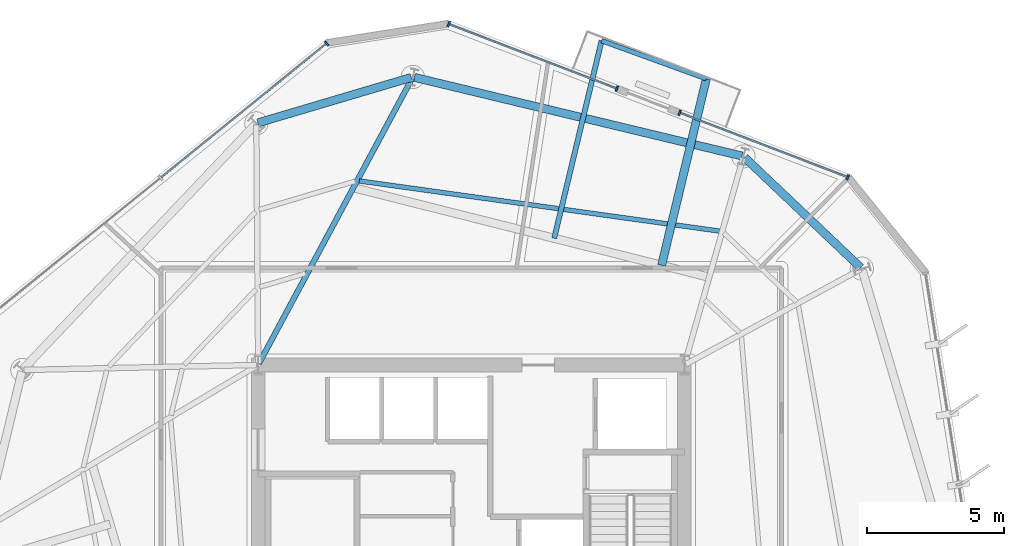
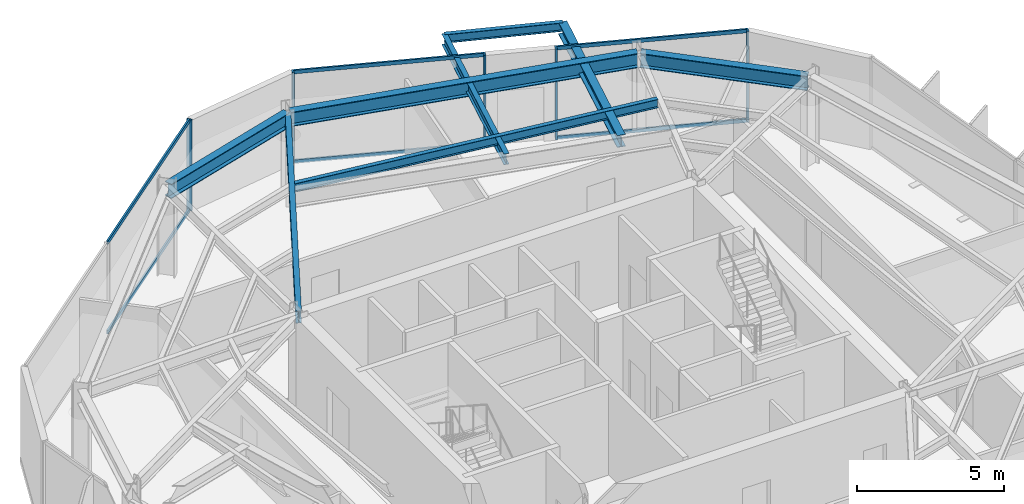
# One storey, part 5 of 12: 11 members, 8 beams, 3 elements without a shape of their own.
"""IFC4 building model written with IfcOpenShell, lengths in metres."""

from ifc_helpers import new_model, si_unit, direction, frame, origin, origin_2d, place, context, subcontext, project, spatial, rectangle, i_section, extrude, material, layer, layer_set, material_profile, profile_set, type_object, element, aggregate, save


model = new_model("IFC4")

# Units and contexts
model_context = context("Model", 3, precision=1e-05, world=origin(), true_north=direction((0.0, 1.0)))
body_context = subcontext(model_context, "Body", "Model", "MODEL_VIEW")
ifc_project = project(units=[si_unit("LENGTHUNIT", "METRE"), si_unit("AREAUNIT", "SQUARE_METRE"), si_unit("VOLUMEUNIT", "CUBIC_METRE"), si_unit("PLANEANGLEUNIT", "RADIAN"), si_unit("MASSUNIT", "GRAM", prefix="KILO")], contexts=[model_context])

# Site, building, storey
site_placement = place(None, origin())
site = spatial("IfcSite", under=ifc_project, at=site_placement, CompositionType="ELEMENT")
building_placement = place(site_placement, origin())
building = spatial("IfcBuilding", under=site, at=building_placement, Name="Kranzbogen Civic Tower", CompositionType="ELEMENT")
storey_placement = place(building_placement, frame((0.0, 0.0, 180.800048828125)))
storey = spatial("IfcBuildingStorey", under=building, at=storey_placement, Name="L43", CompositionType="ELEMENT", Elevation=180.800048828125)

# Beam
ifc_material_1 = material(Name="Steel S355", Category="steel")
ifc_material_profile_1 = material_profile(ifc_material_1, i_section(OverallWidth=0.18994140625, OverallDepth=0.449951171875, WebThickness=0.009521484375, FlangeThickness=0.0146484375, at=origin_2d()), Name="IPE 450")
ifc_profile_set_1 = profile_set([ifc_material_profile_1], Name="Steel S355")
beam_type_1 = type_object("IfcBeamType", Name="Braced Terrace Edge Beam IPE 450", PredefinedType="BEAM", material=ifc_profile_set_1)
beam_1_placement = place(storey_placement, frame((28.033935546875, 36.8369140625, 3.52490234375), z_axis=(0.233448692439, 0.97236912127, 0.0), x_axis=(-0.97236912127, 0.233448692439, 0.0)))
element("IfcBeam", 1, at=beam_1_placement, inside=storey, type_object=beam_type_1, Name="L44 back-spanned terrace beam L44-TB2-2", PredefinedType="BEAM", context=body_context, shape_type="SweptSolid", body=[
    extrude(i_section(OverallWidth=0.18994140625, OverallDepth=0.449951171875, WebThickness=0.009521484375, FlangeThickness=0.0146484375, at=origin_2d()), origin(), (0.0, 0.0, 1.0), 7.436767578125),
])

# Curtain wall, members
ifc_material_2 = material(Name="Pale Anodised Aluminium", Category="aluminium")
ifc_layer = layer(ifc_material_2, 0.219970703125, Name="Pale Anodised Aluminium")
ifc_layer_set = layer_set([ifc_layer], Name="Pale Anodised Aluminium")
curtain_wall_type = type_object("IfcCurtainWallType", Name="Zone 3 Stick Curtain Wall System CW-04", PredefinedType="USERDEFINED", material=ifc_layer_set)
curtain_wall_1_placement = place(storey_placement, origin())
curtain_wall_1 = element("IfcCurtainWall", 2, at=curtain_wall_1_placement, inside=storey, type_object=curtain_wall_type, Name="L43 curtain wall CW-L43-F1-S1", ObjectType="STICK CURTAIN WALL", PredefinedType="USERDEFINED")
ifc_material_profile_2 = material_profile(ifc_material_2, rectangle(XDim=0.070068359375, YDim=0.199951171875, at=origin_2d()), Name="ALU-M 70x200")
ifc_profile_set_2 = profile_set([ifc_material_profile_2], Name="Pale Anodised Aluminium")
member_type_1 = type_object("IfcMemberType", Name="Curtain Wall Mullion ALU-M 70x200", PredefinedType="MULLION", material=ifc_profile_set_2)
member_1_placement = place(storey_placement, frame((38.781005859375, 39.067626953125, 0.0), z_axis=(0.0, 0.0, 1.0), x_axis=(-0.933608751858, 0.35829415074, 0.0)))
member_1 = element("IfcMember", 3, at=member_1_placement, type_object=member_type_1, Name="CW-04 mullion 1", PredefinedType="MULLION", context=body_context, shape_type="SweptSolid", body=[
    extrude(rectangle(XDim=0.070068359375, YDim=0.199951171875, at=origin_2d()), origin(), (0.0, 0.0, 1.0), 3.780029296875),
])
member_2_placement = place(storey_placement, frame((32.625, 41.43017578125, 0.0), z_axis=(0.0, 0.0, 1.0), x_axis=(-0.933608751858, 0.35829415074, 0.0)))
member_2 = element("IfcMember", 4, at=member_2_placement, type_object=member_type_1, Name="CW-04 mullion 2", PredefinedType="MULLION", context=body_context, shape_type="SweptSolid", body=[
    extrude(rectangle(XDim=0.070068359375, YDim=0.199951171875, at=origin_2d()), origin(), (0.0, 0.0, 1.0), 3.780029296875),
])

curtain_wall_2_placement = place(storey_placement, origin())
curtain_wall_2 = element("IfcCurtainWall", 5, at=curtain_wall_2_placement, inside=storey, type_object=curtain_wall_type, Name="L43 curtain wall CW-L43-F1-S2", ObjectType="STICK CURTAIN WALL", PredefinedType="USERDEFINED")
member_3_placement = place(storey_placement, frame((30.3291015625, 42.311767578125, 0.0), z_axis=(0.0, 0.0, 1.0), x_axis=(-0.933577774585, 0.358374857937, 0.0)))
member_3 = element("IfcMember", 6, at=member_3_placement, type_object=member_type_1, Name="CW-04 mullion 1", PredefinedType="MULLION", context=body_context, shape_type="SweptSolid", body=[
    extrude(rectangle(XDim=0.070068359375, YDim=0.199951171875, at=origin_2d()), origin(), (0.0, 0.0, 1.0), 3.780029296875),
])
member_4_placement = place(storey_placement, frame((24.172119140625, 44.67529296875, 0.0), z_axis=(0.0, 0.0, 1.0), x_axis=(-0.933577774585, 0.358374857937, 0.0)))
member_4 = element("IfcMember", 7, at=member_4_placement, type_object=member_type_1, Name="CW-04 mullion 2", PredefinedType="MULLION", context=body_context, shape_type="SweptSolid", body=[
    extrude(rectangle(XDim=0.070068359375, YDim=0.199951171875, at=origin_2d()), origin(), (0.0, 0.0, 1.0), 3.780029296875),
])

# Curtain wall, member
curtain_wall_3_placement = place(storey_placement, origin())
curtain_wall_3 = element("IfcCurtainWall", 8, at=curtain_wall_3_placement, inside=storey, type_object=curtain_wall_type, Name="L43 curtain wall CW-L43-F2", ObjectType="STICK CURTAIN WALL", PredefinedType="USERDEFINED")
member_5_placement = place(storey_placement, frame((19.706787109375, 43.968017578125, 0.0), z_axis=(0.0, 0.0, 1.0), x_axis=(-0.777115874444, -0.629357543601, 0.0)))
member_5 = element("IfcMember", 9, at=member_5_placement, type_object=member_type_1, Name="CW-04 mullion 1", PredefinedType="MULLION", context=body_context, shape_type="SweptSolid", body=[
    extrude(rectangle(XDim=0.070068359375, YDim=0.199951171875, at=origin_2d()), origin(), (0.0, 0.0, 1.0), 3.780029296875),
])

# Member
ifc_material_profile_3 = material_profile(ifc_material_2, rectangle(XDim=0.070068359375, YDim=0.14990234375, at=origin_2d()), Name="ALU-T 70x150")
ifc_profile_set_3 = profile_set([ifc_material_profile_3], Name="Pale Anodised Aluminium")
member_type_2 = type_object("IfcMemberType", Name="Curtain Wall Transom ALU-T 70x150", PredefinedType="USERDEFINED", material=ifc_profile_set_3)
member_6_placement = place(storey_placement, frame((38.7529296875, 39.07861328125, 0.030029296875), z_axis=(-0.933615963242, 0.358275359438, 0.0), x_axis=(-0.358275359438, -0.933615963242, 0.0)))
member_6 = element("IfcMember", 10, at=member_6_placement, type_object=member_type_2, Name="CW-04 transom 1.1", ObjectType="TRANSOM", PredefinedType="USERDEFINED", context=body_context, shape_type="SweptSolid", body=[
    extrude(rectangle(XDim=0.070068359375, YDim=0.14990234375, at=origin_2d()), origin(), (0.0, 0.0, 1.0), 6.53369140625),
])

member_7_placement = place(storey_placement, frame((38.7529296875, 39.07861328125, 3.75), z_axis=(-0.933615963242, 0.358275359438, 0.0), x_axis=(-0.358275359438, -0.933615963242, 0.0)))
member_7 = element("IfcMember", 11, at=member_7_placement, type_object=member_type_2, Name="CW-04 transom 1.2", ObjectType="TRANSOM", PredefinedType="USERDEFINED", context=body_context, shape_type="SweptSolid", body=[
    extrude(rectangle(XDim=0.070068359375, YDim=0.14990234375, at=origin_2d()), origin(), (0.0, 0.0, 1.0), 6.53369140625),
])

aggregate(curtain_wall_1, [member_1, member_2, member_6, member_7])

member_8_placement = place(storey_placement, frame((30.301025390625, 42.322509765625, 0.030029296875), z_axis=(-0.933577454717, 0.358375691201, 0.0), x_axis=(-0.358375691201, -0.933577454717, 0.0)))
member_8 = element("IfcMember", 12, at=member_8_placement, type_object=member_type_2, Name="CW-04 transom 1.1", ObjectType="TRANSOM", PredefinedType="USERDEFINED", context=body_context, shape_type="SweptSolid", body=[
    extrude(rectangle(XDim=0.070068359375, YDim=0.14990234375, at=origin_2d()), origin(), (0.0, 0.0, 1.0), 6.53515625),
])

member_9_placement = place(storey_placement, frame((30.301025390625, 42.322509765625, 3.75), z_axis=(-0.933577454717, 0.358375691201, 0.0), x_axis=(-0.358375691201, -0.933577454717, 0.0)))
member_9 = element("IfcMember", 13, at=member_9_placement, type_object=member_type_2, Name="CW-04 transom 1.2", ObjectType="TRANSOM", PredefinedType="USERDEFINED", context=body_context, shape_type="SweptSolid", body=[
    extrude(rectangle(XDim=0.070068359375, YDim=0.14990234375, at=origin_2d()), origin(), (0.0, 0.0, 1.0), 6.53515625),
])

aggregate(curtain_wall_2, [member_3, member_4, member_8, member_9])

member_10_placement = place(storey_placement, frame((19.683349609375, 43.94921875, 0.030029296875), z_axis=(-0.777118167455, -0.629354712234, 0.0), x_axis=(0.629354712234, -0.777118167455, 0.0)))
member_10 = element("IfcMember", 14, at=member_10_placement, type_object=member_type_2, Name="CW-04 transom 1.1", ObjectType="TRANSOM", PredefinedType="USERDEFINED", context=body_context, shape_type="SweptSolid", body=[
    extrude(rectangle(XDim=0.070068359375, YDim=0.14990234375, at=origin_2d()), origin(), (0.0, 0.0, 1.0), 7.763916015625),
])

member_11_placement = place(storey_placement, frame((19.683349609375, 43.94921875, 3.75), z_axis=(-0.777118167455, -0.629354712234, 0.0), x_axis=(0.629354712234, -0.777118167455, 0.0)))
member_11 = element("IfcMember", 15, at=member_11_placement, type_object=member_type_2, Name="CW-04 transom 1.2", ObjectType="TRANSOM", PredefinedType="USERDEFINED", context=body_context, shape_type="SweptSolid", body=[
    extrude(rectangle(XDim=0.070068359375, YDim=0.14990234375, at=origin_2d()), origin(), (0.0, 0.0, 1.0), 7.763916015625),
])

aggregate(curtain_wall_3, [member_5, member_10, member_11])

# Beams
ifc_material_profile_4 = material_profile(ifc_material_1, i_section(OverallWidth=0.300048828125, OverallDepth=0.5, WebThickness=0.014404296875, FlangeThickness=0.028076171875, at=origin_2d()), Name="HEB 500")
ifc_profile_set_4 = profile_set([ifc_material_profile_4], Name="Steel S355")
beam_type_2 = type_object("IfcBeamType", Name="Perimeter Tube Spandrel Beam HEB 500", PredefinedType="SPANDREL", material=ifc_profile_set_4)
beam_2_placement = place(storey_placement, frame((31.966064453125, 35.847900390625, 3.5), z_axis=(0.2333584815, 0.972390774901, 0.0), x_axis=(-0.972390774901, 0.2333584815, 0.0)))
element("IfcBeam", 16, at=beam_2_placement, inside=storey, type_object=beam_type_2, Name="L44 back-spanned terrace beam L44-TB2-1", PredefinedType="SPANDREL", context=body_context, shape_type="SweptSolid", body=[
    extrude(i_section(OverallWidth=0.300048828125, OverallDepth=0.5, WebThickness=0.014404296875, FlangeThickness=0.028076171875, at=origin_2d()), origin(), (0.0, 0.0, 1.0), 7.01904296875),
])
ifc_material_profile_5 = material_profile(ifc_material_1, i_section(OverallWidth=0.300048828125, OverallDepth=0.60009765625, WebThickness=0.015380859375, FlangeThickness=0.030029296875, at=origin_2d()), Name="HEB 600")
ifc_profile_set_5 = profile_set([ifc_material_profile_5], Name="Steel S355")
beam_type_3 = type_object("IfcBeamType", Name="Perimeter Tube Spandrel Beam HEB 600", PredefinedType="SPANDREL", material=ifc_profile_set_5)
beam_3_placement = place(storey_placement, frame((39.2490234375, 35.764892578125, 3.47998046875), z_axis=(-0.725245206788, 0.688490660816, 0.0), x_axis=(-0.688490660816, -0.725245206788, 0.0)))
element("IfcBeam", 17, at=beam_3_placement, inside=storey, type_object=beam_type_3, Name="L43 perimeter spandrel beam 07", PredefinedType="SPANDREL", context=body_context, shape_type="SweptSolid", body=[
    extrude(i_section(OverallWidth=0.300048828125, OverallDepth=0.60009765625, WebThickness=0.015380859375, FlangeThickness=0.030029296875, at=origin_2d()), origin(), (0.0, 0.0, 1.0), 5.85205078125),
])
beam_4_placement = place(storey_placement, frame((34.903076171875, 39.84912109375, 3.47998046875), z_axis=(-0.972377592092, 0.233413406637, 0.0), x_axis=(-0.233413406637, -0.972377592092, 0.0)))
element("IfcBeam", 18, at=beam_4_placement, inside=storey, type_object=beam_type_3, Name="L43 perimeter spandrel beam 08", PredefinedType="SPANDREL", context=body_context, shape_type="SweptSolid", body=[
    extrude(i_section(OverallWidth=0.300048828125, OverallDepth=0.60009765625, WebThickness=0.015380859375, FlangeThickness=0.030029296875, at=origin_2d()), origin(), (0.0, 0.0, 1.0), 12.32568359375),
])
beam_5_placement = place(storey_placement, frame((22.802001953125, 42.722900390625, 3.47998046875), z_axis=(-0.9588296723, -0.283981794341, 0.0), x_axis=(0.283981794341, -0.9588296723, 0.0)))
element("IfcBeam", 19, at=beam_5_placement, inside=storey, type_object=beam_type_3, Name="L43 perimeter spandrel beam 09", PredefinedType="SPANDREL", context=body_context, shape_type="SweptSolid", body=[
    extrude(i_section(OverallWidth=0.300048828125, OverallDepth=0.60009765625, WebThickness=0.015380859375, FlangeThickness=0.030029296875, at=origin_2d()), origin(), (0.0, 0.0, 1.0), 5.85205078125),
])
ifc_material_profile_6 = material_profile(ifc_material_1, i_section(OverallWidth=0.199951171875, OverallDepth=0.5, WebThickness=0.01025390625, FlangeThickness=0.01611328125, at=origin_2d()), Name="IPE 500")
ifc_profile_set_6 = profile_set([ifc_material_profile_6], Name="Steel S355")
beam_type_4 = type_object("IfcBeamType", Name="Radial Tower Floor Girder IPE 500", PredefinedType="BEAM", material=ifc_profile_set_6)
beam_6_placement = place(storey_placement, frame((22.83203125, 42.68701171875, 3.530029296875), z_axis=(-0.473160413549, -0.880976289721, 0.0), x_axis=(0.880976289721, -0.473160413549, 0.0)))
element("IfcBeam", 20, at=beam_6_placement, inside=storey, type_object=beam_type_4, Name="L43 radial floor girder 09", PredefinedType="BEAM", context=body_context, shape_type="SweptSolid", body=[
    extrude(i_section(OverallWidth=0.199951171875, OverallDepth=0.5, WebThickness=0.01025390625, FlangeThickness=0.01611328125, at=origin_2d()), origin(), (0.0, 0.0, 1.0), 11.84375),
])
ifc_material_profile_7 = material_profile(ifc_material_1, i_section(OverallWidth=0.169921875, OverallDepth=0.360107421875, WebThickness=0.008056640625, FlangeThickness=0.0126953125, at=origin_2d()), Name="IPE 360")
ifc_profile_set_7 = profile_set([ifc_material_profile_7], Name="Steel S355")
beam_type_5 = type_object("IfcBeamType", Name="Secondary Composite Floor Joist IPE 360", PredefinedType="JOIST", material=ifc_profile_set_7)
beam_7_placement = place(storey_placement, frame((34.10400390625, 37.096923828125, 3.599853515625), z_axis=(-0.990445837232, 0.137902296968, 0.0), x_axis=(-0.137902296968, -0.990445837232, 0.0)))
element("IfcBeam", 21, at=beam_7_placement, inside=storey, type_object=beam_type_5, Name="L43 secondary floor joist 1.08", PredefinedType="JOIST", context=body_context, shape_type="SweptSolid", body=[
    extrude(i_section(OverallWidth=0.169921875, OverallDepth=0.360107421875, WebThickness=0.008056640625, FlangeThickness=0.0126953125, at=origin_2d()), origin(), (0.0, 0.0, 1.0), 13.329345703125),
])
beam_8_placement = place(storey_placement, frame((33.60400390625, 42.673095703125, 3.570068359375), z_axis=(-0.939727013953, 0.341925634089, 0.0), x_axis=(-0.341925634089, -0.939727013953, 0.0)))
element("IfcBeam", 22, at=beam_8_placement, inside=storey, type_object=beam_type_5, Name="L44 terrace outer edge trimmer L44-TB2", PredefinedType="JOIST", context=body_context, shape_type="SweptSolid", body=[
    extrude(i_section(OverallWidth=0.169921875, OverallDepth=0.360107421875, WebThickness=0.008056640625, FlangeThickness=0.0126953125, at=origin_2d()), origin(), (0.0, 0.0, 1.0), 4.079833984375),
])

save(model, "model.ifc")
